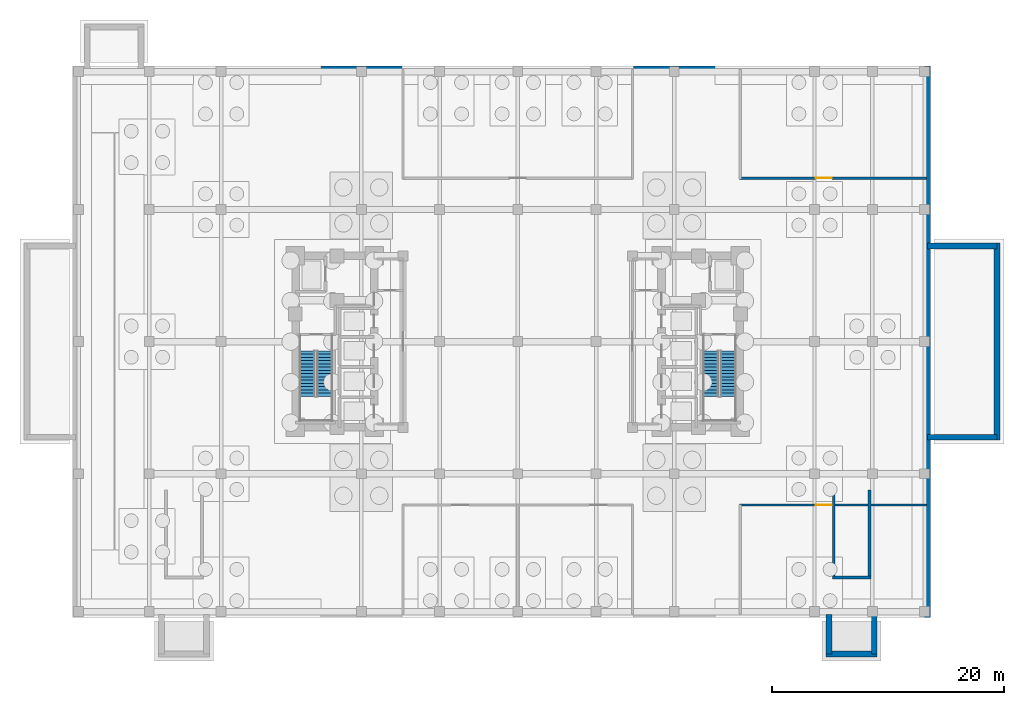
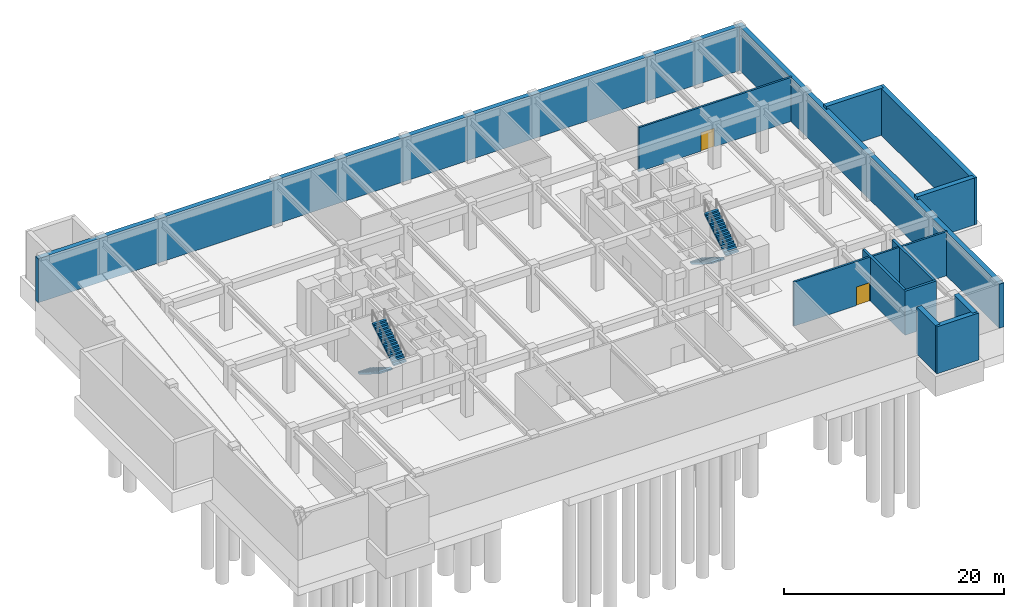
# One storey, part 8 of 11: 13 walls, 4 stair flights, 2 doors, 2 openings, 2 elements without a shape of their own.
"""IFC4 building model written with IfcOpenShell, lengths in metres."""

import ifcopenshell
import ifcopenshell.guid

model = None  # the IFC model being written
_history = None  # IfcOwnerHistory: only IFC2X3 demands one
_inside = {}  # id of a spatial element -> (the spatial element, [elements in it])
_under = {}  # id of a project, library or spatial element -> (it, [spatial elements below it])
_declared = {}  # id of a project -> (the project, [libraries it declares])
_typed = {}  # id of a type object -> (the type object, [elements of that type])
_made_of = {}  # id of a material, layer set ... -> (it, [elements and type objects made of it])


def new_model(schema):
    """Start an empty IFC model of exactly this schema.

    Asked for "IFC4X3", IfcOpenShell would pick the latest addendum, in which some entities
    have other attributes; the version numbers below select the first issue.
    IFC2X3 requires an IfcOwnerHistory on every rooted entity: one is made here for all.
    """
    global model, _history
    if schema == "IFC4X3":
        model = ifcopenshell.file(schema_version=(4, 3, 0, 0))
    else:
        model = ifcopenshell.file(schema=schema)
    _inside.clear()
    _under.clear()
    _declared.clear()
    _typed.clear()
    _made_of.clear()
    _history = None
    if model.schema == "IFC2X3":
        org = make("IfcOrganization", Name="unknown")
        user = make(
            "IfcPersonAndOrganization",
            ThePerson=make("IfcPerson", FamilyName="unknown"),
            TheOrganization=org,
        )
        app = make(
            "IfcApplication",
            ApplicationDeveloper=org,
            Version="unknown",
            ApplicationFullName="unknown",
            ApplicationIdentifier="unknown",
        )
        _history = make(
            "IfcOwnerHistory",
            OwningUser=user,
            OwningApplication=app,
            ChangeAction="ADDED",
            CreationDate=0,
        )
    return model


def make(cls, **values):
    """One entity of the class cls with the attributes given. An attribute that is None is left unset."""
    return model.create_entity(
        cls, **{name: value for name, value in values.items() if value is not None}
    )


def rooted(cls, **values):
    """An entity with a GlobalId (a new one), such as an element, a storey or a relation."""
    return make(cls, GlobalId=ifcopenshell.guid.new(), OwnerHistory=_history, **values)


def si_unit(unit_type, name, prefix=None):
    """IfcSIUnit, for example si_unit("LENGTHUNIT", "METRE", prefix="MILLI")."""
    return make("IfcSIUnit", UnitType=unit_type, Prefix=prefix, Name=name)


def assignment(units):
    """IfcUnitAssignment: the units of a project."""
    return None if units is None else make("IfcUnitAssignment", Units=units)


def point(xyz):
    """IfcCartesianPoint."""
    return None if xyz is None else make("IfcCartesianPoint", Coordinates=xyz)


def direction(xyz):
    """IfcDirection."""
    return None if xyz is None else make("IfcDirection", DirectionRatios=xyz)


def frame(location, z_axis=None, x_axis=None):
    """IfcAxis2Placement3D, a coordinate frame: its origin and axes. An axis left out is left unset."""
    return make(
        "IfcAxis2Placement3D",
        Location=point(location),
        Axis=direction(z_axis),
        RefDirection=direction(x_axis),
    )


def frame_2d(location, x_axis=None):
    """IfcAxis2Placement2D, a coordinate frame in the plane: its origin and x axis."""
    return make(
        "IfcAxis2Placement2D", Location=point(location), RefDirection=direction(x_axis)
    )


def origin():
    """The frame at (0, 0, 0) with its axes left unset."""
    return frame((0.0, 0.0, 0.0))


def place(relative_to, where):
    """IfcLocalPlacement: puts the frame where relative to a parent placement (None: the world)."""
    return make(
        "IfcLocalPlacement", PlacementRelTo=relative_to, RelativePlacement=where
    )


def context(
    kind, dimensions, precision=None, world=None, true_north=None, identifier=None
):
    """IfcGeometricRepresentationContext, for example the 3D "Model" context."""
    return make(
        "IfcGeometricRepresentationContext",
        ContextIdentifier=identifier,
        ContextType=kind,
        CoordinateSpaceDimension=dimensions,
        Precision=precision,
        WorldCoordinateSystem=world,
        TrueNorth=true_north,
    )


def subcontext(parent, identifier, kind, view, scale=None):
    """IfcGeometricRepresentationSubContext, for example "Body" below "Model"."""
    return make(
        "IfcGeometricRepresentationSubContext",
        ContextIdentifier=identifier,
        ContextType=kind,
        ParentContext=parent,
        TargetScale=scale,
        TargetView=view,
    )


def project(units=None, contexts=None):
    """IfcProject with its units and contexts."""
    return rooted(
        "IfcProject",
        Name="project",
        RepresentationContexts=contexts,
        UnitsInContext=assignment(units),
    )


def spatial(cls, under=None, at=None, **own):
    """A site, building, storey or space (cls), placed at a placement, below another one or the project."""
    s = rooted(cls, ObjectPlacement=at, **own)
    if under is not None:
        _under.setdefault(under.id(), (under, []))[1].append(s)
    return s


def polyline(points):
    """IfcPolyline through the points."""
    return make("IfcPolyline", Points=[point(p) for p in points])


def profile(cls, at=None, kind="AREA", **sizes):
    """A parametric profile (cls). Its sizes go by their IFC names, for example OverallWidth=200.0."""
    return make(cls, ProfileType=kind, Position=at, **sizes)


def rectangle(**sizes):
    """IfcRectangleProfileDef."""
    return profile("IfcRectangleProfileDef", **sizes)


def outline(outer, holes=None, kind="AREA"):
    """IfcArbitraryClosedProfileDef: a profile drawn as a closed curve; with holes, ...WithVoids."""
    if holes is None:
        return make("IfcArbitraryClosedProfileDef", ProfileType=kind, OuterCurve=outer)
    return make(
        "IfcArbitraryProfileDefWithVoids",
        ProfileType=kind,
        OuterCurve=outer,
        InnerCurves=holes,
    )


def extrude(swept, where, along, depth):
    """IfcExtrudedAreaSolid: the profile swept, set in the frame where, extruded along a direction by depth."""
    return make(
        "IfcExtrudedAreaSolid",
        SweptArea=swept,
        Position=where,
        ExtrudedDirection=direction(along),
        Depth=depth,
    )


def shape(context_of_items, identifier, shape_type, items):
    """IfcShapeRepresentation: the items that make up one representation, for example the "Body"."""
    return make(
        "IfcShapeRepresentation",
        ContextOfItems=context_of_items,
        RepresentationIdentifier=identifier,
        RepresentationType=shape_type,
        Items=items,
    )


def material(Name=None, Category=None):
    """IfcMaterial."""
    return make("IfcMaterial", Name=Name, Category=Category)


def layer(
    of_material, thickness, ventilated=None, Name=None, Category=None, Priority=None
):
    """IfcMaterialLayer: one layer of a wall or slab, of a material (None: an air gap)."""
    return make(
        "IfcMaterialLayer",
        Material=of_material,
        LayerThickness=thickness,
        IsVentilated=ventilated,
        Name=Name,
        Category=Category,
        Priority=Priority,
    )


def layer_set(layers, Name=None):
    """IfcMaterialLayerSet."""
    return make("IfcMaterialLayerSet", MaterialLayers=layers, LayerSetName=Name)


def made_of(thing, what):
    """Note that an element or type object is made of a material, layer set ...; save() writes the relation."""
    if what is not None:
        _made_of.setdefault(what.id(), (what, []))[1].append(thing)
    return thing


def type_object(cls, material=None, **own):
    """A type object (cls), such as IfcWallType, which elements share."""
    return made_of(rooted(cls, **own), material)


def element(
    cls,
    number,
    at=None,
    inside=None,
    cuts=None,
    type_object=None,
    material=None,
    context=None,
    identifier="Body",
    shape_type=None,
    held_by="IfcProductDefinitionShape",
    body=None,
    shapes=None,
    **own,
):
    """One element of the class cls, such as IfcWall. Its Tag is "e" and its number.

    at: its placement. inside: the storey or other place that contains it. cuts: it is an
    opening in that element (IfcRelVoidsElement). A single representation is given by context,
    identifier, shape_type and body (its items); several are given by shapes. held_by: the class
    of the entity that holds the representations. save() writes the other relations.
    """
    e = rooted(cls, Tag="e%d" % number, ObjectPlacement=at, **own)
    if body is not None:
        shapes = [shape(context, identifier, shape_type, body)]
    if shapes is not None:
        e.Representation = make(held_by, Representations=shapes)
    if inside is not None:
        _inside.setdefault(inside.id(), (inside, []))[1].append(e)
    if cuts is not None:
        rooted(
            "IfcRelVoidsElement", RelatingBuildingElement=cuts, RelatedOpeningElement=e
        )
    if type_object is not None:
        _typed.setdefault(type_object.id(), (type_object, []))[1].append(e)
    return made_of(e, material)


def fill(opening, filler):
    """IfcRelFillsElement: the door or window that sits in an opening."""
    return rooted(
        "IfcRelFillsElement",
        RelatingOpeningElement=opening,
        RelatedBuildingElement=filler,
    )


def aggregate(whole, parts):
    """IfcRelAggregates: a whole, such as a stair, and the parts it consists of."""
    return rooted("IfcRelAggregates", RelatingObject=whole, RelatedObjects=parts)


def save(model, path):
    """Write the relations noted so far, then the file.

    IfcRelAggregates (storeys below a building ...), IfcRelContainedInSpatialStructure (elements
    in a storey), IfcRelDefinesByType, IfcRelAssociatesMaterial and IfcRelDeclares: one each for
    every whole, place, type object, material and project.
    """
    for whole, parts in _under.values():
        aggregate(whole, parts)
    for where, things in _inside.values():
        rooted(
            "IfcRelContainedInSpatialStructure",
            RelatedElements=things,
            RelatingStructure=where,
        )
    for kind, things in _typed.values():
        rooted("IfcRelDefinesByType", RelatedObjects=things, RelatingType=kind)
    for what, things in _made_of.values():
        rooted("IfcRelAssociatesMaterial", RelatedObjects=things, RelatingMaterial=what)
    for by, libraries in _declared.values():
        rooted("IfcRelDeclares", RelatingContext=by, RelatedDefinitions=libraries)
    model.write(path)


model = new_model("IFC4")

# Units and contexts
model_context = context("Model", 3, precision=1e-05, world=origin(), true_north=direction((0.0, 1.0)))
body_context = subcontext(model_context, "Body", "Model", "MODEL_VIEW")
ifc_project = project(units=[si_unit("LENGTHUNIT", "METRE"), si_unit("AREAUNIT", "SQUARE_METRE"), si_unit("VOLUMEUNIT", "CUBIC_METRE"), si_unit("PLANEANGLEUNIT", "RADIAN"), si_unit("MASSUNIT", "GRAM", prefix="KILO")], contexts=[model_context])

# Site, building, storey
site_placement = place(None, origin())
site = spatial("IfcSite", under=ifc_project, at=site_placement, CompositionType="ELEMENT")
building_placement = place(site_placement, origin())
building = spatial("IfcBuilding", under=site, at=building_placement, Name="Voryun Gate Residences", CompositionType="ELEMENT")
storey_placement = place(building_placement, frame((0.0, 0.0, -10.39990234375)))
storey = spatial("IfcBuildingStorey", under=building, at=storey_placement, Name="B02", CompositionType="ELEMENT", Elevation=-10.39990234375)

# Walls
ifc_material_1 = material(Name="Concrete C50/60", Category="concrete")
ifc_layer_1 = layer(ifc_material_1, 0.5, Name="CW_BSMT_RET_500")
ifc_layer_set_1 = layer_set([ifc_layer_1], Name="Concrete C50/60")
wall_type_1 = type_object("IfcWallType", Name="CW_BSMT_RET_500", PredefinedType="USERDEFINED", material=ifc_layer_set_1)
for number, where, z_axis, x_axis, name in (
    (1, (26.85009765625, -26.949951171875, 0.0), (0.0, 0.0, 1.0), (0.0, 1.0, 0.0), "B02 Apron Foundation Wall SLB-PAV-EXIT-P2-L"),
    (2, (30.75, -26.949951171875, 0.0), (0.0, 0.0, 1.0), (0.0, 1.0, 0.0), "B02 Apron Foundation Wall SLB-PAV-EXIT-P2-R"),
):
    element("IfcWall", number, at=place(storey_placement, frame(where, z_axis=z_axis, x_axis=x_axis)), inside=storey, type_object=wall_type_1, Name=name, ObjectType="RETAININGWALL", PredefinedType="USERDEFINED", context=body_context, shape_type="SweptSolid", body=[
        extrude(rectangle(XDim=3.39990234375, YDim=0.5, at=frame_2d((1.699951171875, 0.0))), origin(), (0.0, 0.0, 1.0), 5.199951171875),
    ])
wall_1_placement = place(storey_placement, frame((26.60009765625, -26.949951171875, 0.0), z_axis=(0.0, 0.0, 1.0), x_axis=(1.0, 0.0, 0.0)))
element("IfcWall", 3, at=wall_1_placement, inside=storey, type_object=wall_type_1, Name="B02 Apron Foundation Wall SLB-PAV-EXIT-P2-O", ObjectType="RETAININGWALL", PredefinedType="USERDEFINED", context=body_context, shape_type="SweptSolid", body=[
    extrude(rectangle(XDim=4.39990234375, YDim=0.5, at=frame_2d((2.199951171875, 0.0))), origin(), (0.0, 0.0, 1.0), 5.199951171875),
])
for number, where, z_axis, x_axis, name in (
    (4, (35.35009765625, -8.25, 0.0), (0.0, 0.0, 1.0), (1.0, 0.0, 0.0), "B02 Plaza Foundation Wall SLB-PAV-EAST-PLAZA-S"),
    (5, (35.35009765625, 8.25, 0.0), (0.0, 0.0, 1.0), (1.0, 0.0, 0.0), "B02 Plaza Foundation Wall SLB-PAV-EAST-PLAZA-N"),
):
    element("IfcWall", number, at=place(storey_placement, frame(where, z_axis=z_axis, x_axis=x_axis)), inside=storey, type_object=wall_type_1, Name=name, ObjectType="RETAININGWALL", PredefinedType="USERDEFINED", context=body_context, shape_type="SweptSolid", body=[
        extrude(rectangle(XDim=6.0, YDim=0.5, at=frame_2d((3.0, 0.0))), origin(), (0.0, 0.0, 1.0), 5.199951171875),
    ])
wall_2_placement = place(storey_placement, frame((41.35009765625, -8.5, 0.0), z_axis=(0.0, 0.0, 1.0), x_axis=(0.0, 1.0, 0.0)))
element("IfcWall", 6, at=wall_2_placement, inside=storey, type_object=wall_type_1, Name="B02 Plaza Foundation Wall SLB-PAV-EAST-PLAZA-O", ObjectType="RETAININGWALL", PredefinedType="USERDEFINED", context=body_context, shape_type="SweptSolid", body=[
    extrude(rectangle(XDim=17.0, YDim=0.5, at=frame_2d((8.5, 0.0))), origin(), (0.0, 0.0, 1.0), 5.199951171875),
])
wall_3_placement = place(storey_placement, frame((-38.39990234375, 23.550048828125, 0.0), z_axis=(0.0, 0.0, 1.0), x_axis=(1.0, 0.0, 0.0)))
element("IfcWall", 7, at=wall_3_placement, inside=storey, type_object=wall_type_1, Name="B02 Perimeter Basement Retaining Wall WRET-B02-N", ObjectType="RETAININGWALL", PredefinedType="USERDEFINED", context=body_context, shape_type="SweptSolid", body=[
    extrude(rectangle(XDim=74.0, YDim=0.5, at=frame_2d((37.0, 0.0))), origin(), (0.0, 0.0, 1.0), 4.8798828125),
])
wall_4_placement = place(storey_placement, frame((35.35009765625, -23.800048828125, 0.0), z_axis=(0.0, 0.0, 1.0), x_axis=(0.0, 1.0, 0.0)))
element("IfcWall", 8, at=wall_4_placement, inside=storey, type_object=wall_type_1, Name="B02 Perimeter Basement Retaining Wall WRET-B02-E", ObjectType="RETAININGWALL", PredefinedType="USERDEFINED", context=body_context, shape_type="SweptSolid", body=[
    extrude(rectangle(XDim=47.60009765625, YDim=0.5, at=frame_2d((23.800048828125, 0.0))), origin(), (0.0, 0.0, 1.0), 4.8798828125),
])

# Wall, opening, door
ifc_material_2 = material(Name="Concrete C40/50", Category="concrete")
ifc_layer_2 = layer(ifc_material_2, 0.199951171875, Name="W_FF_LOBBY_200")
ifc_layer_set_2 = layer_set([ifc_layer_2], Name="Concrete C40/50")
wall_type_2 = type_object("IfcWallType", Name="W_FF_LOBBY_200", PredefinedType="PARTITIONING", material=ifc_layer_set_2)
wall_5_placement = place(storey_placement, frame((19.14990234375, -14.10009765625, 0.0), z_axis=(0.0, 0.0, 1.0), x_axis=(1.0, 0.0, 0.0)))
wall_5 = element("IfcWall", 9, at=wall_5_placement, inside=storey, type_object=wall_type_2, Name="Partition wall WP-B02-PLNT-SE", PredefinedType="PARTITIONING", context=body_context, shape_type="SweptSolid", body=[
    extrude(rectangle(XDim=16.10009765625, YDim=0.199951171875, at=frame_2d((8.050048828125, 0.0))), origin(), (0.0, 0.0, 1.0), 4.8798828125),
])
opening_1_placement = place(wall_5_placement, frame((6.544921875, 0.0, 0.0)))
opening_1 = element("IfcOpeningElement", 10, at=opening_1_placement, cuts=wall_5, Name="Opening D-FD60-3", PredefinedType="OPENING", context=body_context, shape_type="SweptSolid", body=[
    extrude(rectangle(XDim=1.39990234375, YDim=2.050048828125, at=frame_2d((0.699951171875, 1.02490234375))), frame((0.0, 0.110107421875, 0.0), z_axis=(0.0, -1.0, 0.0), x_axis=(1.0, 0.0, 0.0)), (0.0, 0.0, 1.0), 0.219970703125),
])
ifc_material_3 = material(Name="Painted steel fire door", Category="steel")
door_type = type_object("IfcDoorType", Name="DR_FD60_PLANT_1400", OperationType="NOTDEFINED", PredefinedType="DOOR", material=ifc_material_3)
door_1_placement = place(opening_1_placement, origin())
door_1 = element("IfcDoor", 11, at=door_1_placement, inside=storey, type_object=door_type, Name="Door DR-B02-PL3-S", OperationType="DOUBLE_DOOR_SINGLE_SWING", OverallHeight=2.050048828125, OverallWidth=1.39990234375, PredefinedType="DOOR", context=body_context, shape_type="SweptSolid", body=[
    extrude(rectangle(XDim=1.39990234375, YDim=2.050048828125, at=frame_2d((0.699951171875, 1.02490234375))), frame((0.0, 0.02490234375, 0.0), z_axis=(0.0, -1.0, 0.0), x_axis=(1.0, 0.0, 0.0)), (0.0, 0.0, 1.0), 0.050048828125),
])
fill(opening_1, door_1)

wall_6_placement = place(storey_placement, frame((19.14990234375, 14.10009765625, 0.0), z_axis=(0.0, 0.0, 1.0), x_axis=(1.0, 0.0, 0.0)))
wall_6 = element("IfcWall", 12, at=wall_6_placement, inside=storey, type_object=wall_type_2, Name="Partition wall WP-B02-PLNT-NE", PredefinedType="PARTITIONING", context=body_context, shape_type="SweptSolid", body=[
    extrude(rectangle(XDim=16.10009765625, YDim=0.199951171875, at=frame_2d((8.050048828125, 0.0))), origin(), (0.0, 0.0, 1.0), 4.8798828125),
])
opening_2_placement = place(wall_6_placement, frame((6.544921875, 0.0, 0.0)))
opening_2 = element("IfcOpeningElement", 13, at=opening_2_placement, cuts=wall_6, Name="Opening D-FD60-3", PredefinedType="OPENING", context=body_context, shape_type="SweptSolid", body=[
    extrude(rectangle(XDim=1.39990234375, YDim=2.050048828125, at=frame_2d((0.699951171875, 1.02490234375))), frame((0.0, 0.110107421875, 0.0), z_axis=(0.0, -1.0, 0.0), x_axis=(1.0, 0.0, 0.0)), (0.0, 0.0, 1.0), 0.219970703125),
])
door_2_placement = place(opening_2_placement, origin())
door_2 = element("IfcDoor", 14, at=door_2_placement, inside=storey, type_object=door_type, Name="Door DR-B02-PL3-N", OperationType="DOUBLE_DOOR_SINGLE_SWING", OverallHeight=2.050048828125, OverallWidth=1.39990234375, PredefinedType="DOOR", context=body_context, shape_type="SweptSolid", body=[
    extrude(rectangle(XDim=1.39990234375, YDim=2.050048828125, at=frame_2d((0.699951171875, 1.02490234375))), frame((0.0, 0.02490234375, 0.0), z_axis=(0.0, -1.0, 0.0), x_axis=(1.0, 0.0, 0.0)), (0.0, 0.0, 1.0), 0.050048828125),
])
fill(opening_2, door_2)

# Walls
ifc_material_4 = material(Name="Concrete C50/60", Category="concrete")
ifc_layer_3 = layer(ifc_material_4, 0.25, Name="W_SHAFT_RC250")
ifc_layer_set_3 = layer_set([ifc_layer_3], Name="Concrete C50/60")
wall_type_3 = type_object("IfcWallType", Name="W_SHAFT_RC250", PredefinedType="SOLIDWALL", material=ifc_layer_set_3)
for number, where, z_axis, x_axis, name in (
    (15, (27.260009765625, -20.485107421875, 0.0), (0.0, 0.0, 1.0), (0.0, 1.0, 0.0), "B02 Podium stair structural wall STP2-W"),
    (16, (30.340087890625, -20.485107421875, 0.0), (0.0, 0.0, 1.0), (0.0, 1.0, 0.0), "B02 Podium stair structural wall STP2-E"),
):
    element("IfcWall", number, at=place(storey_placement, frame(where, z_axis=z_axis, x_axis=x_axis)), inside=storey, type_object=wall_type_3, Name=name, PredefinedType="SOLIDWALL", context=body_context, shape_type="SweptSolid", body=[
        extrude(rectangle(XDim=7.68505859375, YDim=0.25, at=frame_2d((3.842529296875, 0.0))), origin(), (0.0, 0.0, 1.0), 4.8798828125),
    ])
wall_7_placement = place(storey_placement, frame((27.139892578125, -20.364990234375, 0.0), z_axis=(0.0, 0.0, 1.0), x_axis=(1.0, 0.0, 0.0)))
element("IfcWall", 17, at=wall_7_placement, inside=storey, type_object=wall_type_3, Name="B02 Podium stair structural wall STP2-S", PredefinedType="SOLIDWALL", context=body_context, shape_type="SweptSolid", body=[
    extrude(rectangle(XDim=3.320068359375, YDim=0.25, at=frame_2d((1.66015625, 0.0))), origin(), (0.0, 0.0, 1.0), 4.8798828125),
])

# Stair, stair flights
ifc_material_5 = material(Name="Concrete C40/50", Category="concrete")
stair_type = type_object("IfcStairType", Name="STR_CORE_DOGLEG_1350", PredefinedType="HALF_TURN_STAIR", material=ifc_material_5)
stair_1_placement = place(storey_placement, origin())
stair_1 = element("IfcStair", 18, at=stair_1_placement, inside=storey, type_object=stair_type, Name="B02 Special Escape Stair ST-W1", PredefinedType="HALF_TURN_STAIR")
ifc_material_6 = material(Name="Concrete C40/50", Category="concrete")
stair_flight_type = type_object("IfcStairFlightType", Name="FLT_CORE_1350", PredefinedType="STRAIGHT", material=ifc_material_6)
stair_flight_1_placement = place(storey_placement, frame((-18.14990234375, -0.800048828125, 0.0), z_axis=(0.0, 0.0, 1.0), x_axis=(0.0, -1.0, 0.0)))
stair_flight_1 = element("IfcStairFlight", 19, at=stair_flight_1_placement, type_object=stair_flight_type, Name="ST-W1 flight 1", NumberOfRisers=15, NumberOfTreads=14, PredefinedType="STRAIGHT", RiserHeight=0.173333333, TreadLength=0.28, context=body_context, shape_type="SweptSolid", body=[
    extrude(outline(polyline([(0.0, 0.0), (0.0, 0.17333984375), (0.280029296875, 0.17333984375), (0.280029296875, 0.3466796875), (0.56005859375, 0.3466796875), (0.56005859375, 0.52001953125), (0.840087890625, 0.52001953125), (0.840087890625, 0.693359375), (1.1201171875, 0.693359375), (1.1201171875, 0.86669921875), (1.39990234375, 0.86669921875), (1.39990234375, 1.0400390625), (1.679931640625, 1.0400390625), (1.679931640625, 1.21337890625), (1.9599609375, 1.21337890625), (1.9599609375, 1.38671875), (2.239990234375, 1.38671875), (2.239990234375, 1.56005859375), (2.52001953125, 1.56005859375), (2.52001953125, 1.7333984375), (2.800048828125, 1.7333984375), (2.800048828125, 1.90673828125), (3.080078125, 1.90673828125), (3.080078125, 2.080078125), (3.360107421875, 2.080078125), (3.360107421875, 2.25341796875), (3.639892578125, 2.25341796875), (3.639892578125, 2.4267578125), (3.919921875, 2.4267578125), (3.919921875, 2.60009765625), (3.919921875, 2.250244140625), (0.284912109375, 0.0), (0.0, 0.0)])), frame((0.0, 0.675048828125, 0.0), z_axis=(0.0, -1.0, 0.0), x_axis=(1.0, 0.0, 0.0)), (0.0, 0.0, 1.0), 1.35009765625),
])
stair_flight_2_placement = place(storey_placement, frame((-16.64990234375, -4.719970703125, 2.599853515625), z_axis=(0.0, 0.0, 1.0), x_axis=(0.0, 1.0, 0.0)))
stair_flight_2 = element("IfcStairFlight", 20, at=stair_flight_2_placement, type_object=stair_flight_type, Name="ST-W1 flight 2", NumberOfRisers=15, NumberOfTreads=14, PredefinedType="STRAIGHT", RiserHeight=0.173333333, TreadLength=0.28, context=body_context, shape_type="SweptSolid", body=[
    extrude(outline(polyline([(0.0, 0.0), (0.0, 0.17333984375), (0.280029296875, 0.17333984375), (0.280029296875, 0.3466796875), (0.56005859375, 0.3466796875), (0.56005859375, 0.52001953125), (0.840087890625, 0.52001953125), (0.840087890625, 0.693359375), (1.1201171875, 0.693359375), (1.1201171875, 0.86669921875), (1.39990234375, 0.86669921875), (1.39990234375, 1.0400390625), (1.679931640625, 1.0400390625), (1.679931640625, 1.21337890625), (1.9599609375, 1.21337890625), (1.9599609375, 1.38671875), (2.239990234375, 1.38671875), (2.239990234375, 1.56005859375), (2.52001953125, 1.56005859375), (2.52001953125, 1.7333984375), (2.800048828125, 1.7333984375), (2.800048828125, 1.90673828125), (3.080078125, 1.90673828125), (3.080078125, 2.080078125), (3.360107421875, 2.080078125), (3.360107421875, 2.25341796875), (3.639892578125, 2.25341796875), (3.639892578125, 2.4267578125), (3.919921875, 2.4267578125), (3.919921875, 2.60009765625), (3.919921875, 2.250244140625), (0.284912109375, 0.0), (0.0, 0.0)])), frame((0.0, 0.675048828125, 0.0), z_axis=(0.0, -1.0, 0.0), x_axis=(1.0, 0.0, 0.0)), (0.0, 0.0, 1.0), 1.35009765625),
])
aggregate(stair_1, [stair_flight_1, stair_flight_2])

stair_2_placement = place(storey_placement, origin())
stair_2 = element("IfcStair", 21, at=stair_2_placement, inside=storey, type_object=stair_type, Name="B02 Special Escape Stair ST-E1", PredefinedType="HALF_TURN_STAIR")
stair_flight_3_placement = place(storey_placement, frame((16.64990234375, -0.800048828125, 0.0), z_axis=(0.0, 0.0, 1.0), x_axis=(0.0, -1.0, 0.0)))
stair_flight_3 = element("IfcStairFlight", 22, at=stair_flight_3_placement, type_object=stair_flight_type, Name="ST-E1 flight 1", NumberOfRisers=15, NumberOfTreads=14, PredefinedType="STRAIGHT", RiserHeight=0.173333333, TreadLength=0.28, context=body_context, shape_type="SweptSolid", body=[
    extrude(outline(polyline([(0.0, 0.0), (0.0, 0.17333984375), (0.280029296875, 0.17333984375), (0.280029296875, 0.3466796875), (0.56005859375, 0.3466796875), (0.56005859375, 0.52001953125), (0.840087890625, 0.52001953125), (0.840087890625, 0.693359375), (1.1201171875, 0.693359375), (1.1201171875, 0.86669921875), (1.39990234375, 0.86669921875), (1.39990234375, 1.0400390625), (1.679931640625, 1.0400390625), (1.679931640625, 1.21337890625), (1.9599609375, 1.21337890625), (1.9599609375, 1.38671875), (2.239990234375, 1.38671875), (2.239990234375, 1.56005859375), (2.52001953125, 1.56005859375), (2.52001953125, 1.7333984375), (2.800048828125, 1.7333984375), (2.800048828125, 1.90673828125), (3.080078125, 1.90673828125), (3.080078125, 2.080078125), (3.360107421875, 2.080078125), (3.360107421875, 2.25341796875), (3.639892578125, 2.25341796875), (3.639892578125, 2.4267578125), (3.919921875, 2.4267578125), (3.919921875, 2.60009765625), (3.919921875, 2.250244140625), (0.284912109375, 0.0), (0.0, 0.0)])), frame((0.0, 0.675048828125, 0.0), z_axis=(0.0, -1.0, 0.0), x_axis=(1.0, 0.0, 0.0)), (0.0, 0.0, 1.0), 1.35009765625),
])
stair_flight_4_placement = place(storey_placement, frame((18.14990234375, -4.719970703125, 2.599853515625), z_axis=(0.0, 0.0, 1.0), x_axis=(0.0, 1.0, 0.0)))
stair_flight_4 = element("IfcStairFlight", 23, at=stair_flight_4_placement, type_object=stair_flight_type, Name="ST-E1 flight 2", NumberOfRisers=15, NumberOfTreads=14, PredefinedType="STRAIGHT", RiserHeight=0.173333333, TreadLength=0.28, context=body_context, shape_type="SweptSolid", body=[
    extrude(outline(polyline([(0.0, 0.0), (0.0, 0.17333984375), (0.280029296875, 0.17333984375), (0.280029296875, 0.3466796875), (0.56005859375, 0.3466796875), (0.56005859375, 0.52001953125), (0.840087890625, 0.52001953125), (0.840087890625, 0.693359375), (1.1201171875, 0.693359375), (1.1201171875, 0.86669921875), (1.39990234375, 0.86669921875), (1.39990234375, 1.0400390625), (1.679931640625, 1.0400390625), (1.679931640625, 1.21337890625), (1.9599609375, 1.21337890625), (1.9599609375, 1.38671875), (2.239990234375, 1.38671875), (2.239990234375, 1.56005859375), (2.52001953125, 1.56005859375), (2.52001953125, 1.7333984375), (2.800048828125, 1.7333984375), (2.800048828125, 1.90673828125), (3.080078125, 1.90673828125), (3.080078125, 2.080078125), (3.360107421875, 2.080078125), (3.360107421875, 2.25341796875), (3.639892578125, 2.25341796875), (3.639892578125, 2.4267578125), (3.919921875, 2.4267578125), (3.919921875, 2.60009765625), (3.919921875, 2.250244140625), (0.284912109375, 0.0), (0.0, 0.0)])), frame((0.0, 0.675048828125, 0.0), z_axis=(0.0, -1.0, 0.0), x_axis=(1.0, 0.0, 0.0)), (0.0, 0.0, 1.0), 1.35009765625),
])
aggregate(stair_2, [stair_flight_3, stair_flight_4])

save(model, "model.ifc")
